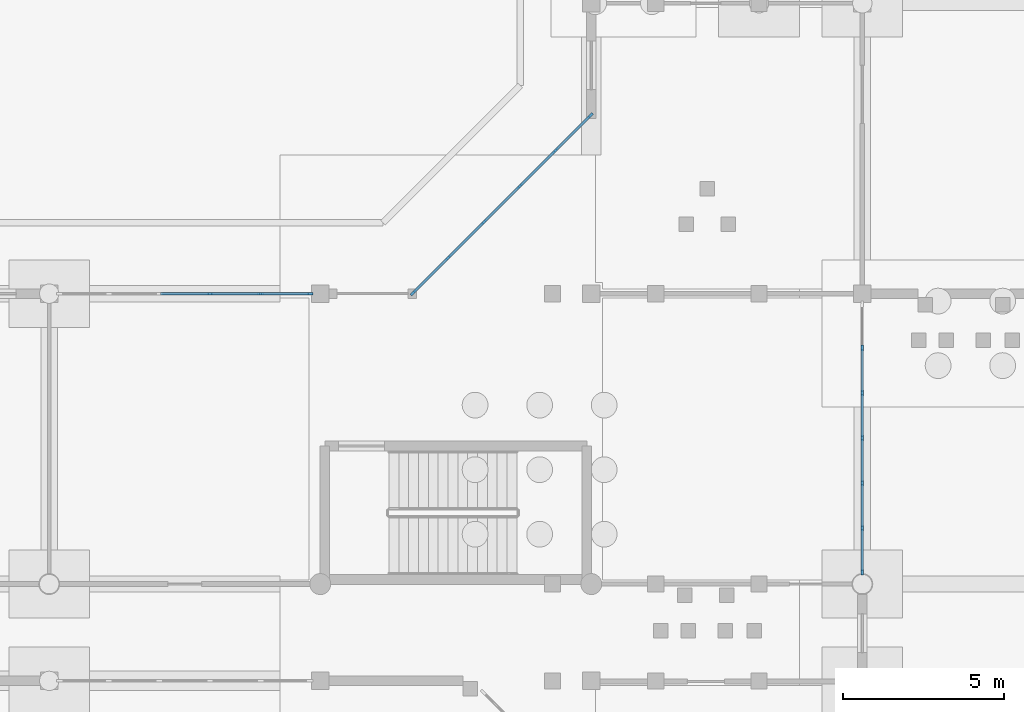
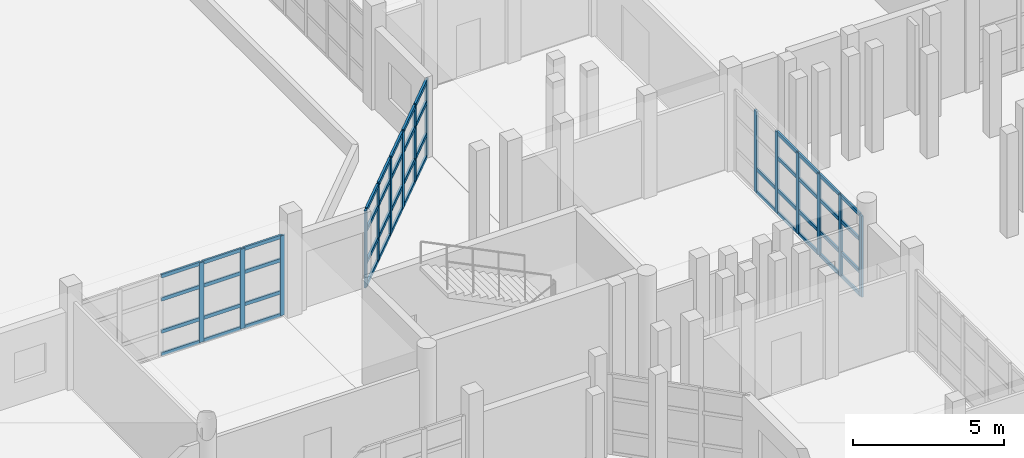
# One storey, part 27 of 88: 65 members, 3 elements without a shape of their own.
"""IFC4 building model written with IfcOpenShell, lengths in metres."""

from ifc_helpers import new_model, si_unit, direction, frame, origin, origin_2d, place, context, subcontext, project, spatial, rectangle, extrude, material, material_profile, profile_set, type_object, element, aggregate, save


model = new_model("IFC4")

# Units and contexts
model_context = context("Model", 3, precision=1e-05, world=origin(), true_north=direction((0.0, 1.0)))
body_context = subcontext(model_context, "Body", "Model", "MODEL_VIEW")
ifc_project = project(units=[si_unit("LENGTHUNIT", "METRE"), si_unit("AREAUNIT", "SQUARE_METRE"), si_unit("VOLUMEUNIT", "CUBIC_METRE"), si_unit("PLANEANGLEUNIT", "RADIAN"), si_unit("MASSUNIT", "GRAM", prefix="KILO")], contexts=[model_context])

# Site, building, storey
site_placement = place(None, origin())
site = spatial("IfcSite", under=ifc_project, at=site_placement, CompositionType="ELEMENT")
building_placement = place(site_placement, origin())
building = spatial("IfcBuilding", under=site, at=building_placement, Name="Vanh Quang Courtyard School", CompositionType="ELEMENT")
storey_placement = place(building_placement, origin())
storey = spatial("IfcBuildingStorey", under=building, at=storey_placement, Name="L00", CompositionType="ELEMENT", Elevation=0.0)

# Curtain wall, members
ifc_material_1 = material(Name="Thermally broken aluminium unitised curtain wall", Category="aluminium")
curtain_wall_type_1 = type_object("IfcCurtainWallType", Name="CW-SYS-06", PredefinedType="NOTDEFINED", material=ifc_material_1)
curtain_wall_1_placement = place(storey_placement, origin())
curtain_wall_1 = element("IfcCurtainWall", 1, at=curtain_wall_1_placement, inside=storey, type_object=curtain_wall_type_1, Name="Curtain Wall CW-06 (L00)", PredefinedType="NOTDEFINED")
ifc_material_2 = material(Name="Anodised aluminium 6063-T6", Category="aluminium")
ifc_material_profile_1 = material_profile(ifc_material_2, rectangle(XDim=0.070068359375, YDim=0.179931640625, at=origin_2d()), Name="ALU-MUL 70x180")
ifc_profile_set_1 = profile_set([ifc_material_profile_1], Name="Anodised aluminium 6063-T6")
member_type_1 = type_object("IfcMemberType", Name="CW-MUL-70x180", PredefinedType="MULLION", material=ifc_profile_set_1)
member_1_placement = place(storey_placement, frame((119.39990234375, 39.7197265625, 0.0), z_axis=(0.0, 0.0, 1.0), x_axis=(1.0, 0.0, 0.0)))
member_1 = element("IfcMember", 2, at=member_1_placement, type_object=member_type_1, Name="CW-06 mullion 2", PredefinedType="MULLION", context=body_context, shape_type="SweptSolid", body=[
    extrude(rectangle(XDim=0.070068359375, YDim=0.179931640625, at=origin_2d()), origin(), (0.0, 0.0, 1.0), 3.280029296875),
])
member_2_placement = place(storey_placement, frame((119.39990234375, 38.322265625, 0.0), z_axis=(0.0, 0.0, 1.0), x_axis=(1.0, 0.0, 0.0)))
member_2 = element("IfcMember", 3, at=member_2_placement, type_object=member_type_1, Name="CW-06 mullion 3", PredefinedType="MULLION", context=body_context, shape_type="SweptSolid", body=[
    extrude(rectangle(XDim=0.070068359375, YDim=0.179931640625, at=origin_2d()), origin(), (0.0, 0.0, 1.0), 3.280029296875),
])
member_3_placement = place(storey_placement, frame((119.39990234375, 36.925048828125, 0.0), z_axis=(0.0, 0.0, 1.0), x_axis=(1.0, 0.0, 0.0)))
member_3 = element("IfcMember", 4, at=member_3_placement, type_object=member_type_1, Name="CW-06 mullion 4", PredefinedType="MULLION", context=body_context, shape_type="SweptSolid", body=[
    extrude(rectangle(XDim=0.070068359375, YDim=0.179931640625, at=origin_2d()), origin(), (0.0, 0.0, 1.0), 3.280029296875),
])
member_4_placement = place(storey_placement, frame((119.39990234375, 35.527587890625, 0.0), z_axis=(0.0, 0.0, 1.0), x_axis=(1.0, 0.0, 0.0)))
member_4 = element("IfcMember", 5, at=member_4_placement, type_object=member_type_1, Name="CW-06 mullion 5", PredefinedType="MULLION", context=body_context, shape_type="SweptSolid", body=[
    extrude(rectangle(XDim=0.070068359375, YDim=0.179931640625, at=origin_2d()), origin(), (0.0, 0.0, 1.0), 3.280029296875),
])
member_5_placement = place(storey_placement, frame((119.39990234375, 34.13037109375, 0.0), z_axis=(0.0, 0.0, 1.0), x_axis=(1.0, 0.0, 0.0)))
member_5 = element("IfcMember", 6, at=member_5_placement, type_object=member_type_1, Name="CW-06 mullion 6", PredefinedType="MULLION", context=body_context, shape_type="SweptSolid", body=[
    extrude(rectangle(XDim=0.070068359375, YDim=0.179931640625, at=origin_2d()), origin(), (0.0, 0.0, 1.0), 3.280029296875),
])
member_6_placement = place(storey_placement, frame((119.39990234375, 32.76806640625, 0.0), z_axis=(0.0, 0.0, 1.0), x_axis=(1.0, 0.0, 0.0)))
member_6 = element("IfcMember", 7, at=member_6_placement, type_object=member_type_1, Name="CW-06 mullion 7", PredefinedType="MULLION", context=body_context, shape_type="SweptSolid", body=[
    extrude(rectangle(XDim=0.070068359375, YDim=0.179931640625, at=origin_2d()), origin(), (0.0, 0.0, 1.0), 3.280029296875),
])

curtain_wall_type_2 = type_object("IfcCurtainWallType", Name="CW-SYS-01", PredefinedType="NOTDEFINED", material=ifc_material_1)
curtain_wall_2_placement = place(storey_placement, origin())
curtain_wall_2 = element("IfcCurtainWall", 8, at=curtain_wall_2_placement, inside=storey, type_object=curtain_wall_type_2, Name="Curtain Wall CW-01 (L00)", PredefinedType="NOTDEFINED")
member_7_placement = place(storey_placement, frame((99.183349609375, 41.39990234375, 0.0), z_axis=(0.0, 0.0, 1.0), x_axis=(0.0, 1.0, 0.0)))
member_7 = element("IfcMember", 9, at=member_7_placement, type_object=member_type_1, Name="CW-01 mullion 4", PredefinedType="MULLION", context=body_context, shape_type="SweptSolid", body=[
    extrude(rectangle(XDim=0.070068359375, YDim=0.179931640625, at=origin_2d()), origin(), (0.0, 0.0, 1.0), 3.219970703125),
])
member_8_placement = place(storey_placement, frame((100.750244140625, 41.39990234375, 0.0), z_axis=(0.0, 0.0, 1.0), x_axis=(0.0, 1.0, 0.0)))
member_8 = element("IfcMember", 10, at=member_8_placement, type_object=member_type_1, Name="CW-01 mullion 5", PredefinedType="MULLION", context=body_context, shape_type="SweptSolid", body=[
    extrude(rectangle(XDim=0.070068359375, YDim=0.179931640625, at=origin_2d()), origin(), (0.0, 0.0, 1.0), 3.219970703125),
])
member_9_placement = place(storey_placement, frame((102.281982421875, 41.39990234375, 0.0), z_axis=(0.0, 0.0, 1.0), x_axis=(0.0, 1.0, 0.0)))
member_9 = element("IfcMember", 11, at=member_9_placement, type_object=member_type_1, Name="CW-01 mullion 6", PredefinedType="MULLION", context=body_context, shape_type="SweptSolid", body=[
    extrude(rectangle(XDim=0.070068359375, YDim=0.179931640625, at=origin_2d()), origin(), (0.0, 0.0, 1.0), 3.219970703125),
])

curtain_wall_type_3 = type_object("IfcCurtainWallType", Name="CW-SYS-17", PredefinedType="NOTDEFINED", material=ifc_material_1)
curtain_wall_3_placement = place(storey_placement, origin())
curtain_wall_3 = element("IfcCurtainWall", 12, at=curtain_wall_3_placement, inside=storey, type_object=curtain_wall_type_3, Name="Curtain Wall CW-17 (L00)", PredefinedType="NOTDEFINED")
ifc_material_profile_2 = material_profile(ifc_material_2, rectangle(XDim=0.080078125, YDim=0.199951171875, at=origin_2d()), Name="ALU-MUL 80x200")
ifc_profile_set_2 = profile_set([ifc_material_profile_2], Name="Anodised aluminium 6063-T6")
member_type_2 = type_object("IfcMemberType", Name="CW-MUL-80x200", PredefinedType="MULLION", material=ifc_profile_set_2)
member_10_placement = place(storey_placement, frame((105.484375, 41.42822265625, 0.0), z_axis=(0.0, 0.0, 1.0), x_axis=(-0.707106781187, 0.707106781187, 0.0)))
member_10 = element("IfcMember", 13, at=member_10_placement, type_object=member_type_2, Name="CW-17 mullion 1", PredefinedType="MULLION", context=body_context, shape_type="SweptSolid", body=[
    extrude(rectangle(XDim=0.080078125, YDim=0.199951171875, at=origin_2d()), origin(), (0.0, 0.0, 1.0), 3.1201171875),
])
member_11_placement = place(storey_placement, frame((106.564697265625, 42.5087890625, 0.0), z_axis=(0.0, 0.0, 1.0), x_axis=(-0.707106781187, 0.707106781187, 0.0)))
member_11 = element("IfcMember", 14, at=member_11_placement, type_object=member_type_2, Name="CW-17 mullion 2", PredefinedType="MULLION", context=body_context, shape_type="SweptSolid", body=[
    extrude(rectangle(XDim=0.080078125, YDim=0.199951171875, at=origin_2d()), origin(), (0.0, 0.0, 1.0), 3.1201171875),
])
member_12_placement = place(storey_placement, frame((107.673583984375, 43.61767578125, 0.0), z_axis=(0.0, 0.0, 1.0), x_axis=(-0.707106781187, 0.707106781187, 0.0)))
member_12 = element("IfcMember", 15, at=member_12_placement, type_object=member_type_2, Name="CW-17 mullion 3", PredefinedType="MULLION", context=body_context, shape_type="SweptSolid", body=[
    extrude(rectangle(XDim=0.080078125, YDim=0.199951171875, at=origin_2d()), origin(), (0.0, 0.0, 1.0), 3.1201171875),
])
member_13_placement = place(storey_placement, frame((108.782470703125, 44.726318359375, 0.0), z_axis=(0.0, 0.0, 1.0), x_axis=(-0.707106781187, 0.707106781187, 0.0)))
member_13 = element("IfcMember", 16, at=member_13_placement, type_object=member_type_2, Name="CW-17 mullion 4", PredefinedType="MULLION", context=body_context, shape_type="SweptSolid", body=[
    extrude(rectangle(XDim=0.080078125, YDim=0.199951171875, at=origin_2d()), origin(), (0.0, 0.0, 1.0), 3.1201171875),
])
member_14_placement = place(storey_placement, frame((109.89111328125, 45.835205078125, 0.0), z_axis=(0.0, 0.0, 1.0), x_axis=(-0.707106781187, 0.707106781187, 0.0)))
member_14 = element("IfcMember", 17, at=member_14_placement, type_object=member_type_2, Name="CW-17 mullion 5", PredefinedType="MULLION", context=body_context, shape_type="SweptSolid", body=[
    extrude(rectangle(XDim=0.080078125, YDim=0.199951171875, at=origin_2d()), origin(), (0.0, 0.0, 1.0), 3.1201171875),
])
member_15_placement = place(storey_placement, frame((110.9716796875, 46.915771484375, 0.0), z_axis=(0.0, 0.0, 1.0), x_axis=(-0.707106781187, 0.707106781187, 0.0)))
member_15 = element("IfcMember", 18, at=member_15_placement, type_object=member_type_2, Name="CW-17 mullion 6", PredefinedType="MULLION", context=body_context, shape_type="SweptSolid", body=[
    extrude(rectangle(XDim=0.080078125, YDim=0.199951171875, at=origin_2d()), origin(), (0.0, 0.0, 1.0), 3.1201171875),
])

# Member
ifc_material_profile_3 = material_profile(ifc_material_2, rectangle(XDim=0.070068359375, YDim=0.139892578125, at=origin_2d()), Name="ALU-TRN 70x140")
ifc_profile_set_3 = profile_set([ifc_material_profile_3], Name="Anodised aluminium 6063-T6")
member_type_3 = type_object("IfcMemberType", Name="CW-TRN-70x140", PredefinedType="USERDEFINED", material=ifc_profile_set_3)
member_16_placement = place(storey_placement, frame((119.39990234375, 39.6845703125, 0.034912109375), z_axis=(0.0, -1.0, 0.0), x_axis=(1.0, 0.0, 0.0)))
member_16 = element("IfcMember", 19, at=member_16_placement, type_object=member_type_3, Name="CW-06 transom 2.1", ObjectType="TRANSOM", PredefinedType="USERDEFINED", context=body_context, shape_type="SweptSolid", body=[
    extrude(rectangle(XDim=0.070068359375, YDim=0.139892578125, at=origin_2d()), origin(), (0.0, 0.0, 1.0), 1.3271484375),
])

member_17_placement = place(storey_placement, frame((119.39990234375, 39.6845703125, 0.949951171875), z_axis=(0.0, -1.0, 0.0), x_axis=(1.0, 0.0, 0.0)))
member_17 = element("IfcMember", 20, at=member_17_placement, type_object=member_type_3, Name="CW-06 transom 2.2", ObjectType="TRANSOM", PredefinedType="USERDEFINED", context=body_context, shape_type="SweptSolid", body=[
    extrude(rectangle(XDim=0.070068359375, YDim=0.139892578125, at=origin_2d()), origin(), (0.0, 0.0, 1.0), 1.3271484375),
])

member_18_placement = place(storey_placement, frame((119.39990234375, 38.287353515625, 0.034912109375), z_axis=(0.0, -1.0, 0.0), x_axis=(1.0, 0.0, 0.0)))
member_18 = element("IfcMember", 21, at=member_18_placement, type_object=member_type_3, Name="CW-06 transom 3.1", ObjectType="TRANSOM", PredefinedType="USERDEFINED", context=body_context, shape_type="SweptSolid", body=[
    extrude(rectangle(XDim=0.070068359375, YDim=0.139892578125, at=origin_2d()), origin(), (0.0, 0.0, 1.0), 1.327392578125),
])

member_19_placement = place(storey_placement, frame((119.39990234375, 38.287353515625, 0.949951171875), z_axis=(0.0, -1.0, 0.0), x_axis=(1.0, 0.0, 0.0)))
member_19 = element("IfcMember", 22, at=member_19_placement, type_object=member_type_3, Name="CW-06 transom 3.2", ObjectType="TRANSOM", PredefinedType="USERDEFINED", context=body_context, shape_type="SweptSolid", body=[
    extrude(rectangle(XDim=0.070068359375, YDim=0.139892578125, at=origin_2d()), origin(), (0.0, 0.0, 1.0), 1.327392578125),
])

member_20_placement = place(storey_placement, frame((119.39990234375, 38.287353515625, 2.25), z_axis=(0.0, -1.0, 0.0), x_axis=(1.0, 0.0, 0.0)))
member_20 = element("IfcMember", 23, at=member_20_placement, type_object=member_type_3, Name="CW-06 transom 3.3", ObjectType="TRANSOM", PredefinedType="USERDEFINED", context=body_context, shape_type="SweptSolid", body=[
    extrude(rectangle(XDim=0.070068359375, YDim=0.139892578125, at=origin_2d()), origin(), (0.0, 0.0, 1.0), 1.327392578125),
])

member_21_placement = place(storey_placement, frame((119.39990234375, 38.287353515625, 3.2451171875), z_axis=(0.0, -1.0, 0.0), x_axis=(1.0, 0.0, 0.0)))
member_21 = element("IfcMember", 24, at=member_21_placement, type_object=member_type_3, Name="CW-06 transom 3.4", ObjectType="TRANSOM", PredefinedType="USERDEFINED", context=body_context, shape_type="SweptSolid", body=[
    extrude(rectangle(XDim=0.070068359375, YDim=0.139892578125, at=origin_2d()), origin(), (0.0, 0.0, 1.0), 1.327392578125),
])

member_22_placement = place(storey_placement, frame((119.39990234375, 36.889892578125, 0.034912109375), z_axis=(0.0, -1.0, 0.0), x_axis=(1.0, 0.0, 0.0)))
member_22 = element("IfcMember", 25, at=member_22_placement, type_object=member_type_3, Name="CW-06 transom 4.1", ObjectType="TRANSOM", PredefinedType="USERDEFINED", context=body_context, shape_type="SweptSolid", body=[
    extrude(rectangle(XDim=0.070068359375, YDim=0.139892578125, at=origin_2d()), origin(), (0.0, 0.0, 1.0), 1.3271484375),
])

member_23_placement = place(storey_placement, frame((119.39990234375, 36.889892578125, 0.949951171875), z_axis=(0.0, -1.0, 0.0), x_axis=(1.0, 0.0, 0.0)))
member_23 = element("IfcMember", 26, at=member_23_placement, type_object=member_type_3, Name="CW-06 transom 4.2", ObjectType="TRANSOM", PredefinedType="USERDEFINED", context=body_context, shape_type="SweptSolid", body=[
    extrude(rectangle(XDim=0.070068359375, YDim=0.139892578125, at=origin_2d()), origin(), (0.0, 0.0, 1.0), 1.3271484375),
])

member_24_placement = place(storey_placement, frame((119.39990234375, 36.889892578125, 2.25), z_axis=(0.0, -1.0, 0.0), x_axis=(1.0, 0.0, 0.0)))
member_24 = element("IfcMember", 27, at=member_24_placement, type_object=member_type_3, Name="CW-06 transom 4.3", ObjectType="TRANSOM", PredefinedType="USERDEFINED", context=body_context, shape_type="SweptSolid", body=[
    extrude(rectangle(XDim=0.070068359375, YDim=0.139892578125, at=origin_2d()), origin(), (0.0, 0.0, 1.0), 1.3271484375),
])

member_25_placement = place(storey_placement, frame((119.39990234375, 36.889892578125, 3.2451171875), z_axis=(0.0, -1.0, 0.0), x_axis=(1.0, 0.0, 0.0)))
member_25 = element("IfcMember", 28, at=member_25_placement, type_object=member_type_3, Name="CW-06 transom 4.4", ObjectType="TRANSOM", PredefinedType="USERDEFINED", context=body_context, shape_type="SweptSolid", body=[
    extrude(rectangle(XDim=0.070068359375, YDim=0.139892578125, at=origin_2d()), origin(), (0.0, 0.0, 1.0), 1.3271484375),
])

member_26_placement = place(storey_placement, frame((119.39990234375, 35.49267578125, 0.034912109375), z_axis=(0.0, -1.0, 0.0), x_axis=(1.0, 0.0, 0.0)))
member_26 = element("IfcMember", 29, at=member_26_placement, type_object=member_type_3, Name="CW-06 transom 5.1", ObjectType="TRANSOM", PredefinedType="USERDEFINED", context=body_context, shape_type="SweptSolid", body=[
    extrude(rectangle(XDim=0.070068359375, YDim=0.139892578125, at=origin_2d()), origin(), (0.0, 0.0, 1.0), 1.327392578125),
])

member_27_placement = place(storey_placement, frame((119.39990234375, 35.49267578125, 0.949951171875), z_axis=(0.0, -1.0, 0.0), x_axis=(1.0, 0.0, 0.0)))
member_27 = element("IfcMember", 30, at=member_27_placement, type_object=member_type_3, Name="CW-06 transom 5.2", ObjectType="TRANSOM", PredefinedType="USERDEFINED", context=body_context, shape_type="SweptSolid", body=[
    extrude(rectangle(XDim=0.070068359375, YDim=0.139892578125, at=origin_2d()), origin(), (0.0, 0.0, 1.0), 1.327392578125),
])

member_28_placement = place(storey_placement, frame((119.39990234375, 35.49267578125, 2.25), z_axis=(0.0, -1.0, 0.0), x_axis=(1.0, 0.0, 0.0)))
member_28 = element("IfcMember", 31, at=member_28_placement, type_object=member_type_3, Name="CW-06 transom 5.3", ObjectType="TRANSOM", PredefinedType="USERDEFINED", context=body_context, shape_type="SweptSolid", body=[
    extrude(rectangle(XDim=0.070068359375, YDim=0.139892578125, at=origin_2d()), origin(), (0.0, 0.0, 1.0), 1.327392578125),
])

member_29_placement = place(storey_placement, frame((119.39990234375, 35.49267578125, 3.2451171875), z_axis=(0.0, -1.0, 0.0), x_axis=(1.0, 0.0, 0.0)))
member_29 = element("IfcMember", 32, at=member_29_placement, type_object=member_type_3, Name="CW-06 transom 5.4", ObjectType="TRANSOM", PredefinedType="USERDEFINED", context=body_context, shape_type="SweptSolid", body=[
    extrude(rectangle(XDim=0.070068359375, YDim=0.139892578125, at=origin_2d()), origin(), (0.0, 0.0, 1.0), 1.327392578125),
])

member_30_placement = place(storey_placement, frame((119.39990234375, 34.09521484375, 0.034912109375), z_axis=(0.0, -1.0, 0.0), x_axis=(1.0, 0.0, 0.0)))
member_30 = element("IfcMember", 33, at=member_30_placement, type_object=member_type_3, Name="CW-06 transom 6.1", ObjectType="TRANSOM", PredefinedType="USERDEFINED", context=body_context, shape_type="SweptSolid", body=[
    extrude(rectangle(XDim=0.070068359375, YDim=0.139892578125, at=origin_2d()), origin(), (0.0, 0.0, 1.0), 1.292236328125),
])

member_31_placement = place(storey_placement, frame((119.39990234375, 34.09521484375, 0.949951171875), z_axis=(0.0, -1.0, 0.0), x_axis=(1.0, 0.0, 0.0)))
member_31 = element("IfcMember", 34, at=member_31_placement, type_object=member_type_3, Name="CW-06 transom 6.2", ObjectType="TRANSOM", PredefinedType="USERDEFINED", context=body_context, shape_type="SweptSolid", body=[
    extrude(rectangle(XDim=0.070068359375, YDim=0.139892578125, at=origin_2d()), origin(), (0.0, 0.0, 1.0), 1.292236328125),
])

member_32_placement = place(storey_placement, frame((119.39990234375, 34.09521484375, 2.25), z_axis=(0.0, -1.0, 0.0), x_axis=(1.0, 0.0, 0.0)))
member_32 = element("IfcMember", 35, at=member_32_placement, type_object=member_type_3, Name="CW-06 transom 6.3", ObjectType="TRANSOM", PredefinedType="USERDEFINED", context=body_context, shape_type="SweptSolid", body=[
    extrude(rectangle(XDim=0.070068359375, YDim=0.139892578125, at=origin_2d()), origin(), (0.0, 0.0, 1.0), 1.292236328125),
])

member_33_placement = place(storey_placement, frame((119.39990234375, 34.09521484375, 3.2451171875), z_axis=(0.0, -1.0, 0.0), x_axis=(1.0, 0.0, 0.0)))
member_33 = element("IfcMember", 36, at=member_33_placement, type_object=member_type_3, Name="CW-06 transom 6.4", ObjectType="TRANSOM", PredefinedType="USERDEFINED", context=body_context, shape_type="SweptSolid", body=[
    extrude(rectangle(XDim=0.070068359375, YDim=0.139892578125, at=origin_2d()), origin(), (0.0, 0.0, 1.0), 1.292236328125),
])

aggregate(curtain_wall_1, [member_1, member_2, member_3, member_4, member_5, member_6, member_16, member_17, member_18, member_19, member_20, member_21, member_22, member_23, member_24, member_25, member_26, member_27, member_28, member_29, member_30, member_31, member_32, member_33])

member_34_placement = place(storey_placement, frame((97.651611328125, 41.39990234375, 0.034912109375), z_axis=(1.0, 0.0, 0.0), x_axis=(0.0, 1.0, 0.0)))
member_34 = element("IfcMember", 37, at=member_34_placement, type_object=member_type_3, Name="CW-01 transom 3.1", ObjectType="TRANSOM", PredefinedType="USERDEFINED", context=body_context, shape_type="SweptSolid", body=[
    extrude(rectangle(XDim=0.070068359375, YDim=0.139892578125, at=origin_2d()), origin(), (0.0, 0.0, 1.0), 1.496826171875),
])

member_35_placement = place(storey_placement, frame((97.651611328125, 41.39990234375, 0.949951171875), z_axis=(1.0, 0.0, 0.0), x_axis=(0.0, 1.0, 0.0)))
member_35 = element("IfcMember", 38, at=member_35_placement, type_object=member_type_3, Name="CW-01 transom 3.2", ObjectType="TRANSOM", PredefinedType="USERDEFINED", context=body_context, shape_type="SweptSolid", body=[
    extrude(rectangle(XDim=0.070068359375, YDim=0.139892578125, at=origin_2d()), origin(), (0.0, 0.0, 1.0), 1.496826171875),
])

member_36_placement = place(storey_placement, frame((97.651611328125, 41.39990234375, 2.25), z_axis=(1.0, 0.0, 0.0), x_axis=(0.0, 1.0, 0.0)))
member_36 = element("IfcMember", 39, at=member_36_placement, type_object=member_type_3, Name="CW-01 transom 3.3", ObjectType="TRANSOM", PredefinedType="USERDEFINED", context=body_context, shape_type="SweptSolid", body=[
    extrude(rectangle(XDim=0.070068359375, YDim=0.139892578125, at=origin_2d()), origin(), (0.0, 0.0, 1.0), 1.496826171875),
])

member_37_placement = place(storey_placement, frame((97.651611328125, 41.39990234375, 3.18505859375), z_axis=(1.0, 0.0, 0.0), x_axis=(0.0, 1.0, 0.0)))
member_37 = element("IfcMember", 40, at=member_37_placement, type_object=member_type_3, Name="CW-01 transom 3.4", ObjectType="TRANSOM", PredefinedType="USERDEFINED", context=body_context, shape_type="SweptSolid", body=[
    extrude(rectangle(XDim=0.070068359375, YDim=0.139892578125, at=origin_2d()), origin(), (0.0, 0.0, 1.0), 1.496826171875),
])

member_38_placement = place(storey_placement, frame((99.218505859375, 41.39990234375, 0.034912109375), z_axis=(1.0, 0.0, 0.0), x_axis=(0.0, 1.0, 0.0)))
member_38 = element("IfcMember", 41, at=member_38_placement, type_object=member_type_3, Name="CW-01 transom 4.1", ObjectType="TRANSOM", PredefinedType="USERDEFINED", context=body_context, shape_type="SweptSolid", body=[
    extrude(rectangle(XDim=0.070068359375, YDim=0.139892578125, at=origin_2d()), origin(), (0.0, 0.0, 1.0), 1.49658203125),
])

member_39_placement = place(storey_placement, frame((99.218505859375, 41.39990234375, 0.949951171875), z_axis=(1.0, 0.0, 0.0), x_axis=(0.0, 1.0, 0.0)))
member_39 = element("IfcMember", 42, at=member_39_placement, type_object=member_type_3, Name="CW-01 transom 4.2", ObjectType="TRANSOM", PredefinedType="USERDEFINED", context=body_context, shape_type="SweptSolid", body=[
    extrude(rectangle(XDim=0.070068359375, YDim=0.139892578125, at=origin_2d()), origin(), (0.0, 0.0, 1.0), 1.49658203125),
])

member_40_placement = place(storey_placement, frame((99.218505859375, 41.39990234375, 2.25), z_axis=(1.0, 0.0, 0.0), x_axis=(0.0, 1.0, 0.0)))
member_40 = element("IfcMember", 43, at=member_40_placement, type_object=member_type_3, Name="CW-01 transom 4.3", ObjectType="TRANSOM", PredefinedType="USERDEFINED", context=body_context, shape_type="SweptSolid", body=[
    extrude(rectangle(XDim=0.070068359375, YDim=0.139892578125, at=origin_2d()), origin(), (0.0, 0.0, 1.0), 1.49658203125),
])

member_41_placement = place(storey_placement, frame((99.218505859375, 41.39990234375, 3.18505859375), z_axis=(1.0, 0.0, 0.0), x_axis=(0.0, 1.0, 0.0)))
member_41 = element("IfcMember", 44, at=member_41_placement, type_object=member_type_3, Name="CW-01 transom 4.4", ObjectType="TRANSOM", PredefinedType="USERDEFINED", context=body_context, shape_type="SweptSolid", body=[
    extrude(rectangle(XDim=0.070068359375, YDim=0.139892578125, at=origin_2d()), origin(), (0.0, 0.0, 1.0), 1.49658203125),
])

member_42_placement = place(storey_placement, frame((100.78515625, 41.39990234375, 0.034912109375), z_axis=(1.0, 0.0, 0.0), x_axis=(0.0, 1.0, 0.0)))
member_42 = element("IfcMember", 45, at=member_42_placement, type_object=member_type_3, Name="CW-01 transom 5.1", ObjectType="TRANSOM", PredefinedType="USERDEFINED", context=body_context, shape_type="SweptSolid", body=[
    extrude(rectangle(XDim=0.070068359375, YDim=0.139892578125, at=origin_2d()), origin(), (0.0, 0.0, 1.0), 1.4619140625),
])

member_43_placement = place(storey_placement, frame((100.78515625, 41.39990234375, 0.949951171875), z_axis=(1.0, 0.0, 0.0), x_axis=(0.0, 1.0, 0.0)))
member_43 = element("IfcMember", 46, at=member_43_placement, type_object=member_type_3, Name="CW-01 transom 5.2", ObjectType="TRANSOM", PredefinedType="USERDEFINED", context=body_context, shape_type="SweptSolid", body=[
    extrude(rectangle(XDim=0.070068359375, YDim=0.139892578125, at=origin_2d()), origin(), (0.0, 0.0, 1.0), 1.4619140625),
])

member_44_placement = place(storey_placement, frame((100.78515625, 41.39990234375, 2.25), z_axis=(1.0, 0.0, 0.0), x_axis=(0.0, 1.0, 0.0)))
member_44 = element("IfcMember", 47, at=member_44_placement, type_object=member_type_3, Name="CW-01 transom 5.3", ObjectType="TRANSOM", PredefinedType="USERDEFINED", context=body_context, shape_type="SweptSolid", body=[
    extrude(rectangle(XDim=0.070068359375, YDim=0.139892578125, at=origin_2d()), origin(), (0.0, 0.0, 1.0), 1.4619140625),
])

member_45_placement = place(storey_placement, frame((100.78515625, 41.39990234375, 3.18505859375), z_axis=(1.0, 0.0, 0.0), x_axis=(0.0, 1.0, 0.0)))
member_45 = element("IfcMember", 48, at=member_45_placement, type_object=member_type_3, Name="CW-01 transom 5.4", ObjectType="TRANSOM", PredefinedType="USERDEFINED", context=body_context, shape_type="SweptSolid", body=[
    extrude(rectangle(XDim=0.070068359375, YDim=0.139892578125, at=origin_2d()), origin(), (0.0, 0.0, 1.0), 1.4619140625),
])

aggregate(curtain_wall_2, [member_7, member_8, member_9, member_34, member_35, member_36, member_37, member_38, member_39, member_40, member_41, member_42, member_43, member_44, member_45])

ifc_material_profile_4 = material_profile(ifc_material_2, rectangle(XDim=0.080078125, YDim=0.14990234375, at=origin_2d()), Name="ALU-TRN 80x150")
ifc_profile_set_4 = profile_set([ifc_material_profile_4], Name="Anodised aluminium 6063-T6")
member_type_4 = type_object("IfcMemberType", Name="CW-TRN-80x150", PredefinedType="USERDEFINED", material=ifc_profile_set_4)
member_46_placement = place(storey_placement, frame((105.512451171875, 41.45654296875, 0.0400390625), z_axis=(0.70719106592, 0.707022486405, 0.0), x_axis=(-0.707022486405, 0.70719106592, 0.0)))
member_46 = element("IfcMember", 49, at=member_46_placement, type_object=member_type_4, Name="CW-17 transom 1.1", ObjectType="TRANSOM", PredefinedType="USERDEFINED", context=body_context, shape_type="SweptSolid", body=[
    extrude(rectangle(XDim=0.080078125, YDim=0.14990234375, at=origin_2d()), origin(), (0.0, 0.0, 1.0), 1.4482421875),
])

member_47_placement = place(storey_placement, frame((105.512451171875, 41.45654296875, 0.949951171875), z_axis=(0.70719106592, 0.707022486405, 0.0), x_axis=(-0.707022486405, 0.70719106592, 0.0)))
member_47 = element("IfcMember", 50, at=member_47_placement, type_object=member_type_4, Name="CW-17 transom 1.2", ObjectType="TRANSOM", PredefinedType="USERDEFINED", context=body_context, shape_type="SweptSolid", body=[
    extrude(rectangle(XDim=0.080078125, YDim=0.14990234375, at=origin_2d()), origin(), (0.0, 0.0, 1.0), 1.4482421875),
])

member_48_placement = place(storey_placement, frame((105.512451171875, 41.45654296875, 2.25), z_axis=(0.70719106592, 0.707022486405, 0.0), x_axis=(-0.707022486405, 0.70719106592, 0.0)))
member_48 = element("IfcMember", 51, at=member_48_placement, type_object=member_type_4, Name="CW-17 transom 1.3", ObjectType="TRANSOM", PredefinedType="USERDEFINED", context=body_context, shape_type="SweptSolid", body=[
    extrude(rectangle(XDim=0.080078125, YDim=0.14990234375, at=origin_2d()), origin(), (0.0, 0.0, 1.0), 1.4482421875),
])

member_49_placement = place(storey_placement, frame((105.512451171875, 41.45654296875, 3.080078125), z_axis=(0.70719106592, 0.707022486405, 0.0), x_axis=(-0.707022486405, 0.70719106592, 0.0)))
member_49 = element("IfcMember", 52, at=member_49_placement, type_object=member_type_4, Name="CW-17 transom 1.4", ObjectType="TRANSOM", PredefinedType="USERDEFINED", context=body_context, shape_type="SweptSolid", body=[
    extrude(rectangle(XDim=0.080078125, YDim=0.14990234375, at=origin_2d()), origin(), (0.0, 0.0, 1.0), 1.4482421875),
])

member_50_placement = place(storey_placement, frame((106.593017578125, 42.537109375, 0.0400390625), z_axis=(0.707106781187, 0.707106781187, 0.0), x_axis=(-0.707106781187, 0.707106781187, 0.0)))
member_50 = element("IfcMember", 53, at=member_50_placement, type_object=member_type_4, Name="CW-17 transom 2.1", ObjectType="TRANSOM", PredefinedType="USERDEFINED", context=body_context, shape_type="SweptSolid", body=[
    extrude(rectangle(XDim=0.080078125, YDim=0.14990234375, at=origin_2d()), origin(), (0.0, 0.0, 1.0), 1.488037109375),
])

member_51_placement = place(storey_placement, frame((106.593017578125, 42.537109375, 0.949951171875), z_axis=(0.707106781187, 0.707106781187, 0.0), x_axis=(-0.707106781187, 0.707106781187, 0.0)))
member_51 = element("IfcMember", 54, at=member_51_placement, type_object=member_type_4, Name="CW-17 transom 2.2", ObjectType="TRANSOM", PredefinedType="USERDEFINED", context=body_context, shape_type="SweptSolid", body=[
    extrude(rectangle(XDim=0.080078125, YDim=0.14990234375, at=origin_2d()), origin(), (0.0, 0.0, 1.0), 1.488037109375),
])

member_52_placement = place(storey_placement, frame((106.593017578125, 42.537109375, 2.25), z_axis=(0.707106781187, 0.707106781187, 0.0), x_axis=(-0.707106781187, 0.707106781187, 0.0)))
member_52 = element("IfcMember", 55, at=member_52_placement, type_object=member_type_4, Name="CW-17 transom 2.3", ObjectType="TRANSOM", PredefinedType="USERDEFINED", context=body_context, shape_type="SweptSolid", body=[
    extrude(rectangle(XDim=0.080078125, YDim=0.14990234375, at=origin_2d()), origin(), (0.0, 0.0, 1.0), 1.488037109375),
])

member_53_placement = place(storey_placement, frame((106.593017578125, 42.537109375, 3.080078125), z_axis=(0.707106781187, 0.707106781187, 0.0), x_axis=(-0.707106781187, 0.707106781187, 0.0)))
member_53 = element("IfcMember", 56, at=member_53_placement, type_object=member_type_4, Name="CW-17 transom 2.4", ObjectType="TRANSOM", PredefinedType="USERDEFINED", context=body_context, shape_type="SweptSolid", body=[
    extrude(rectangle(XDim=0.080078125, YDim=0.14990234375, at=origin_2d()), origin(), (0.0, 0.0, 1.0), 1.488037109375),
])

member_54_placement = place(storey_placement, frame((107.701904296875, 43.64599609375, 0.0400390625), z_axis=(0.707188816893, 0.707024735961, 0.0), x_axis=(-0.707024735961, 0.707188816893, 0.0)))
member_54 = element("IfcMember", 57, at=member_54_placement, type_object=member_type_4, Name="CW-17 transom 3.1", ObjectType="TRANSOM", PredefinedType="USERDEFINED", context=body_context, shape_type="SweptSolid", body=[
    extrude(rectangle(XDim=0.080078125, YDim=0.14990234375, at=origin_2d()), origin(), (0.0, 0.0, 1.0), 1.488037109375),
])

member_55_placement = place(storey_placement, frame((107.701904296875, 43.64599609375, 0.949951171875), z_axis=(0.707188816893, 0.707024735961, 0.0), x_axis=(-0.707024735961, 0.707188816893, 0.0)))
member_55 = element("IfcMember", 58, at=member_55_placement, type_object=member_type_4, Name="CW-17 transom 3.2", ObjectType="TRANSOM", PredefinedType="USERDEFINED", context=body_context, shape_type="SweptSolid", body=[
    extrude(rectangle(XDim=0.080078125, YDim=0.14990234375, at=origin_2d()), origin(), (0.0, 0.0, 1.0), 1.488037109375),
])

member_56_placement = place(storey_placement, frame((107.701904296875, 43.64599609375, 2.25), z_axis=(0.707188816893, 0.707024735961, 0.0), x_axis=(-0.707024735961, 0.707188816893, 0.0)))
member_56 = element("IfcMember", 59, at=member_56_placement, type_object=member_type_4, Name="CW-17 transom 3.3", ObjectType="TRANSOM", PredefinedType="USERDEFINED", context=body_context, shape_type="SweptSolid", body=[
    extrude(rectangle(XDim=0.080078125, YDim=0.14990234375, at=origin_2d()), origin(), (0.0, 0.0, 1.0), 1.488037109375),
])

member_57_placement = place(storey_placement, frame((107.701904296875, 43.64599609375, 3.080078125), z_axis=(0.707188816893, 0.707024735961, 0.0), x_axis=(-0.707024735961, 0.707188816893, 0.0)))
member_57 = element("IfcMember", 60, at=member_57_placement, type_object=member_type_4, Name="CW-17 transom 3.4", ObjectType="TRANSOM", PredefinedType="USERDEFINED", context=body_context, shape_type="SweptSolid", body=[
    extrude(rectangle(XDim=0.080078125, YDim=0.14990234375, at=origin_2d()), origin(), (0.0, 0.0, 1.0), 1.488037109375),
])

member_58_placement = place(storey_placement, frame((108.810791015625, 44.754638671875, 0.0400390625), z_axis=(0.707106781187, 0.707106781187, 0.0), x_axis=(-0.707106781187, 0.707106781187, 0.0)))
member_58 = element("IfcMember", 61, at=member_58_placement, type_object=member_type_4, Name="CW-17 transom 4.1", ObjectType="TRANSOM", PredefinedType="USERDEFINED", context=body_context, shape_type="SweptSolid", body=[
    extrude(rectangle(XDim=0.080078125, YDim=0.14990234375, at=origin_2d()), origin(), (0.0, 0.0, 1.0), 1.488037109375),
])

member_59_placement = place(storey_placement, frame((108.810791015625, 44.754638671875, 0.949951171875), z_axis=(0.707106781187, 0.707106781187, 0.0), x_axis=(-0.707106781187, 0.707106781187, 0.0)))
member_59 = element("IfcMember", 62, at=member_59_placement, type_object=member_type_4, Name="CW-17 transom 4.2", ObjectType="TRANSOM", PredefinedType="USERDEFINED", context=body_context, shape_type="SweptSolid", body=[
    extrude(rectangle(XDim=0.080078125, YDim=0.14990234375, at=origin_2d()), origin(), (0.0, 0.0, 1.0), 1.488037109375),
])

member_60_placement = place(storey_placement, frame((108.810791015625, 44.754638671875, 2.25), z_axis=(0.707106781187, 0.707106781187, 0.0), x_axis=(-0.707106781187, 0.707106781187, 0.0)))
member_60 = element("IfcMember", 63, at=member_60_placement, type_object=member_type_4, Name="CW-17 transom 4.3", ObjectType="TRANSOM", PredefinedType="USERDEFINED", context=body_context, shape_type="SweptSolid", body=[
    extrude(rectangle(XDim=0.080078125, YDim=0.14990234375, at=origin_2d()), origin(), (0.0, 0.0, 1.0), 1.488037109375),
])

member_61_placement = place(storey_placement, frame((108.810791015625, 44.754638671875, 3.080078125), z_axis=(0.707106781187, 0.707106781187, 0.0), x_axis=(-0.707106781187, 0.707106781187, 0.0)))
member_61 = element("IfcMember", 64, at=member_61_placement, type_object=member_type_4, Name="CW-17 transom 4.4", ObjectType="TRANSOM", PredefinedType="USERDEFINED", context=body_context, shape_type="SweptSolid", body=[
    extrude(rectangle(XDim=0.080078125, YDim=0.14990234375, at=origin_2d()), origin(), (0.0, 0.0, 1.0), 1.488037109375),
])

member_62_placement = place(storey_placement, frame((109.91943359375, 45.863525390625, 0.0400390625), z_axis=(0.707106781187, 0.707106781187, 0.0), x_axis=(-0.707106781187, 0.707106781187, 0.0)))
member_62 = element("IfcMember", 65, at=member_62_placement, type_object=member_type_4, Name="CW-17 transom 5.1", ObjectType="TRANSOM", PredefinedType="USERDEFINED", context=body_context, shape_type="SweptSolid", body=[
    extrude(rectangle(XDim=0.080078125, YDim=0.14990234375, at=origin_2d()), origin(), (0.0, 0.0, 1.0), 1.447998046875),
])

member_63_placement = place(storey_placement, frame((109.91943359375, 45.863525390625, 0.949951171875), z_axis=(0.707106781187, 0.707106781187, 0.0), x_axis=(-0.707106781187, 0.707106781187, 0.0)))
member_63 = element("IfcMember", 66, at=member_63_placement, type_object=member_type_4, Name="CW-17 transom 5.2", ObjectType="TRANSOM", PredefinedType="USERDEFINED", context=body_context, shape_type="SweptSolid", body=[
    extrude(rectangle(XDim=0.080078125, YDim=0.14990234375, at=origin_2d()), origin(), (0.0, 0.0, 1.0), 1.447998046875),
])

member_64_placement = place(storey_placement, frame((109.91943359375, 45.863525390625, 2.25), z_axis=(0.707106781187, 0.707106781187, 0.0), x_axis=(-0.707106781187, 0.707106781187, 0.0)))
member_64 = element("IfcMember", 67, at=member_64_placement, type_object=member_type_4, Name="CW-17 transom 5.3", ObjectType="TRANSOM", PredefinedType="USERDEFINED", context=body_context, shape_type="SweptSolid", body=[
    extrude(rectangle(XDim=0.080078125, YDim=0.14990234375, at=origin_2d()), origin(), (0.0, 0.0, 1.0), 1.447998046875),
])

member_65_placement = place(storey_placement, frame((109.91943359375, 45.863525390625, 3.080078125), z_axis=(0.707106781187, 0.707106781187, 0.0), x_axis=(-0.707106781187, 0.707106781187, 0.0)))
member_65 = element("IfcMember", 68, at=member_65_placement, type_object=member_type_4, Name="CW-17 transom 5.4", ObjectType="TRANSOM", PredefinedType="USERDEFINED", context=body_context, shape_type="SweptSolid", body=[
    extrude(rectangle(XDim=0.080078125, YDim=0.14990234375, at=origin_2d()), origin(), (0.0, 0.0, 1.0), 1.447998046875),
])

aggregate(curtain_wall_3, [member_10, member_11, member_12, member_13, member_14, member_15, member_46, member_47, member_48, member_49, member_50, member_51, member_52, member_53, member_54, member_55, member_56, member_57, member_58, member_59, member_60, member_61, member_62, member_63, member_64, member_65])

save(model, "model.ifc")
